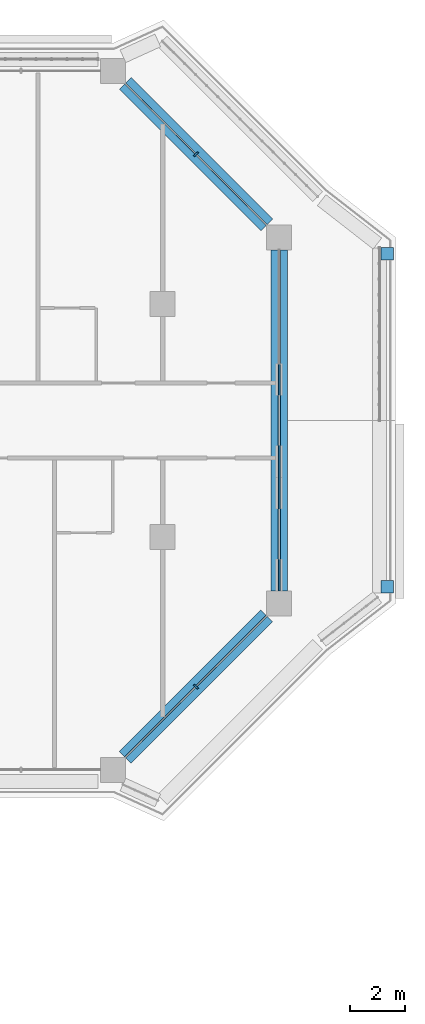
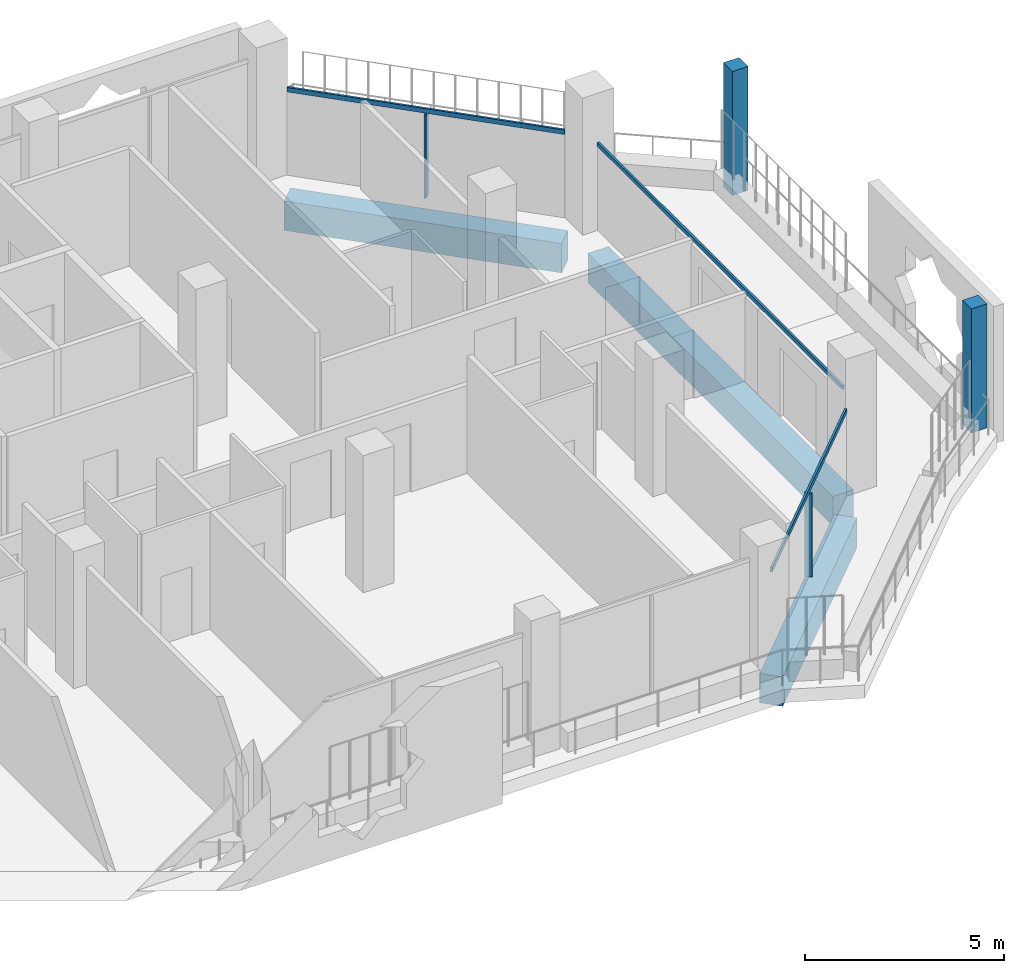
# One storey, part 7 of 22: 7 members, 3 beams, 4 elements without a shape of their own.
"""IFC4 building model written with IfcOpenShell, lengths in metres."""

import ifcopenshell
import ifcopenshell.guid

model = None  # the IFC model being written
_history = None  # IfcOwnerHistory: only IFC2X3 demands one
_inside = {}  # id of a spatial element -> (the spatial element, [elements in it])
_under = {}  # id of a project, library or spatial element -> (it, [spatial elements below it])
_declared = {}  # id of a project -> (the project, [libraries it declares])
_typed = {}  # id of a type object -> (the type object, [elements of that type])
_made_of = {}  # id of a material, layer set ... -> (it, [elements and type objects made of it])


def new_model(schema):
    """Start an empty IFC model of exactly this schema.

    Asked for "IFC4X3", IfcOpenShell would pick the latest addendum, in which some entities
    have other attributes; the version numbers below select the first issue.
    IFC2X3 requires an IfcOwnerHistory on every rooted entity: one is made here for all.
    """
    global model, _history
    if schema == "IFC4X3":
        model = ifcopenshell.file(schema_version=(4, 3, 0, 0))
    else:
        model = ifcopenshell.file(schema=schema)
    _inside.clear()
    _under.clear()
    _declared.clear()
    _typed.clear()
    _made_of.clear()
    _history = None
    if model.schema == "IFC2X3":
        org = make("IfcOrganization", Name="unknown")
        user = make(
            "IfcPersonAndOrganization",
            ThePerson=make("IfcPerson", FamilyName="unknown"),
            TheOrganization=org,
        )
        app = make(
            "IfcApplication",
            ApplicationDeveloper=org,
            Version="unknown",
            ApplicationFullName="unknown",
            ApplicationIdentifier="unknown",
        )
        _history = make(
            "IfcOwnerHistory",
            OwningUser=user,
            OwningApplication=app,
            ChangeAction="ADDED",
            CreationDate=0,
        )
    return model


def make(cls, **values):
    """One entity of the class cls with the attributes given. An attribute that is None is left unset."""
    return model.create_entity(
        cls, **{name: value for name, value in values.items() if value is not None}
    )


def rooted(cls, **values):
    """An entity with a GlobalId (a new one), such as an element, a storey or a relation."""
    return make(cls, GlobalId=ifcopenshell.guid.new(), OwnerHistory=_history, **values)


def si_unit(unit_type, name, prefix=None):
    """IfcSIUnit, for example si_unit("LENGTHUNIT", "METRE", prefix="MILLI")."""
    return make("IfcSIUnit", UnitType=unit_type, Prefix=prefix, Name=name)


def assignment(units):
    """IfcUnitAssignment: the units of a project."""
    return None if units is None else make("IfcUnitAssignment", Units=units)


def point(xyz):
    """IfcCartesianPoint."""
    return None if xyz is None else make("IfcCartesianPoint", Coordinates=xyz)


def direction(xyz):
    """IfcDirection."""
    return None if xyz is None else make("IfcDirection", DirectionRatios=xyz)


def frame(location, z_axis=None, x_axis=None):
    """IfcAxis2Placement3D, a coordinate frame: its origin and axes. An axis left out is left unset."""
    return make(
        "IfcAxis2Placement3D",
        Location=point(location),
        Axis=direction(z_axis),
        RefDirection=direction(x_axis),
    )


def frame_2d(location, x_axis=None):
    """IfcAxis2Placement2D, a coordinate frame in the plane: its origin and x axis."""
    return make(
        "IfcAxis2Placement2D", Location=point(location), RefDirection=direction(x_axis)
    )


def origin():
    """The frame at (0, 0, 0) with its axes left unset."""
    return frame((0.0, 0.0, 0.0))


def origin_2d():
    """The frame at (0, 0) in the plane with its x axis left unset."""
    return frame_2d((0.0, 0.0))


def place(relative_to, where):
    """IfcLocalPlacement: puts the frame where relative to a parent placement (None: the world)."""
    return make(
        "IfcLocalPlacement", PlacementRelTo=relative_to, RelativePlacement=where
    )


def context(
    kind, dimensions, precision=None, world=None, true_north=None, identifier=None
):
    """IfcGeometricRepresentationContext, for example the 3D "Model" context."""
    return make(
        "IfcGeometricRepresentationContext",
        ContextIdentifier=identifier,
        ContextType=kind,
        CoordinateSpaceDimension=dimensions,
        Precision=precision,
        WorldCoordinateSystem=world,
        TrueNorth=true_north,
    )


def subcontext(parent, identifier, kind, view, scale=None):
    """IfcGeometricRepresentationSubContext, for example "Body" below "Model"."""
    return make(
        "IfcGeometricRepresentationSubContext",
        ContextIdentifier=identifier,
        ContextType=kind,
        ParentContext=parent,
        TargetScale=scale,
        TargetView=view,
    )


def project(units=None, contexts=None):
    """IfcProject with its units and contexts."""
    return rooted(
        "IfcProject",
        Name="project",
        RepresentationContexts=contexts,
        UnitsInContext=assignment(units),
    )


def spatial(cls, under=None, at=None, **own):
    """A site, building, storey or space (cls), placed at a placement, below another one or the project."""
    s = rooted(cls, ObjectPlacement=at, **own)
    if under is not None:
        _under.setdefault(under.id(), (under, []))[1].append(s)
    return s


def profile(cls, at=None, kind="AREA", **sizes):
    """A parametric profile (cls). Its sizes go by their IFC names, for example OverallWidth=200.0."""
    return make(cls, ProfileType=kind, Position=at, **sizes)


def rectangle(**sizes):
    """IfcRectangleProfileDef."""
    return profile("IfcRectangleProfileDef", **sizes)


def extrude(swept, where, along, depth):
    """IfcExtrudedAreaSolid: the profile swept, set in the frame where, extruded along a direction by depth."""
    return make(
        "IfcExtrudedAreaSolid",
        SweptArea=swept,
        Position=where,
        ExtrudedDirection=direction(along),
        Depth=depth,
    )


def shape(context_of_items, identifier, shape_type, items):
    """IfcShapeRepresentation: the items that make up one representation, for example the "Body"."""
    return make(
        "IfcShapeRepresentation",
        ContextOfItems=context_of_items,
        RepresentationIdentifier=identifier,
        RepresentationType=shape_type,
        Items=items,
    )


def material(Name=None, Category=None):
    """IfcMaterial."""
    return make("IfcMaterial", Name=Name, Category=Category)


def layer(
    of_material, thickness, ventilated=None, Name=None, Category=None, Priority=None
):
    """IfcMaterialLayer: one layer of a wall or slab, of a material (None: an air gap)."""
    return make(
        "IfcMaterialLayer",
        Material=of_material,
        LayerThickness=thickness,
        IsVentilated=ventilated,
        Name=Name,
        Category=Category,
        Priority=Priority,
    )


def layer_set(layers, Name=None):
    """IfcMaterialLayerSet."""
    return make("IfcMaterialLayerSet", MaterialLayers=layers, LayerSetName=Name)


def material_profile(
    of_material, cross_section, Name=None, Category=None, Priority=None
):
    """IfcMaterialProfile: a cross section and its material."""
    return make(
        "IfcMaterialProfile",
        Name=Name,
        Material=of_material,
        Profile=cross_section,
        Priority=Priority,
        Category=Category,
    )


def profile_set(profiles, Name=None, composite=None):
    """IfcMaterialProfileSet."""
    return make(
        "IfcMaterialProfileSet",
        Name=Name,
        MaterialProfiles=profiles,
        CompositeProfile=composite,
    )


def made_of(thing, what):
    """Note that an element or type object is made of a material, layer set ...; save() writes the relation."""
    if what is not None:
        _made_of.setdefault(what.id(), (what, []))[1].append(thing)
    return thing


def type_object(cls, material=None, **own):
    """A type object (cls), such as IfcWallType, which elements share."""
    return made_of(rooted(cls, **own), material)


def element(
    cls,
    number,
    at=None,
    inside=None,
    cuts=None,
    type_object=None,
    material=None,
    context=None,
    identifier="Body",
    shape_type=None,
    held_by="IfcProductDefinitionShape",
    body=None,
    shapes=None,
    **own,
):
    """One element of the class cls, such as IfcWall. Its Tag is "e" and its number.

    at: its placement. inside: the storey or other place that contains it. cuts: it is an
    opening in that element (IfcRelVoidsElement). A single representation is given by context,
    identifier, shape_type and body (its items); several are given by shapes. held_by: the class
    of the entity that holds the representations. save() writes the other relations.
    """
    e = rooted(cls, Tag="e%d" % number, ObjectPlacement=at, **own)
    if body is not None:
        shapes = [shape(context, identifier, shape_type, body)]
    if shapes is not None:
        e.Representation = make(held_by, Representations=shapes)
    if inside is not None:
        _inside.setdefault(inside.id(), (inside, []))[1].append(e)
    if cuts is not None:
        rooted(
            "IfcRelVoidsElement", RelatingBuildingElement=cuts, RelatedOpeningElement=e
        )
    if type_object is not None:
        _typed.setdefault(type_object.id(), (type_object, []))[1].append(e)
    return made_of(e, material)


def aggregate(whole, parts):
    """IfcRelAggregates: a whole, such as a stair, and the parts it consists of."""
    return rooted("IfcRelAggregates", RelatingObject=whole, RelatedObjects=parts)


def save(model, path):
    """Write the relations noted so far, then the file.

    IfcRelAggregates (storeys below a building ...), IfcRelContainedInSpatialStructure (elements
    in a storey), IfcRelDefinesByType, IfcRelAssociatesMaterial and IfcRelDeclares: one each for
    every whole, place, type object, material and project.
    """
    for whole, parts in _under.values():
        aggregate(whole, parts)
    for where, things in _inside.values():
        rooted(
            "IfcRelContainedInSpatialStructure",
            RelatedElements=things,
            RelatingStructure=where,
        )
    for kind, things in _typed.values():
        rooted("IfcRelDefinesByType", RelatedObjects=things, RelatingType=kind)
    for what, things in _made_of.values():
        rooted("IfcRelAssociatesMaterial", RelatedObjects=things, RelatingMaterial=what)
    for by, libraries in _declared.values():
        rooted("IfcRelDeclares", RelatingContext=by, RelatedDefinitions=libraries)
    model.write(path)


model = new_model("IFC4")

# Units and contexts
model_context = context("Model", 3, precision=1e-05, world=origin(), true_north=direction((0.0, 1.0)))
body_context = subcontext(model_context, "Body", "Model", "MODEL_VIEW")
ifc_project = project(units=[si_unit("LENGTHUNIT", "METRE"), si_unit("AREAUNIT", "SQUARE_METRE"), si_unit("VOLUMEUNIT", "CUBIC_METRE"), si_unit("PLANEANGLEUNIT", "RADIAN"), si_unit("MASSUNIT", "GRAM", prefix="KILO")], contexts=[model_context])

# Site, building, storey
site_placement = place(None, origin())
site = spatial("IfcSite", under=ifc_project, at=site_placement, CompositionType="ELEMENT")
building_placement = place(site_placement, origin())
building = spatial("IfcBuilding", under=site, at=building_placement, Name="Kawkab Arch Medical Tower", CompositionType="ELEMENT")
storey_placement = place(building_placement, frame((0.0, 0.0, 251.60009765625)))
storey = spatial("IfcBuildingStorey", under=building, at=storey_placement, Name="L58", CompositionType="ELEMENT", Elevation=251.60009765625)

# Curtain wall, member
ifc_material_1 = material(Name="Bronze anodised aluminium curtain wall frame", Category="aluminium")
ifc_layer_1 = layer(ifc_material_1, 0.159912109375)
ifc_layer_set_1 = layer_set([ifc_layer_1], Name="Bronze anodised aluminium curtain wall frame")
curtain_wall_type_1 = type_object("IfcCurtainWallType", Name="CW1 ward curtain wall", PredefinedType="NOTDEFINED", material=ifc_layer_set_1)
placement = place(storey_placement, origin())
curtain_wall_1 = element("IfcCurtainWall", 1, at=placement, inside=storey, type_object=curtain_wall_type_1, Name="CW1 Ward curtain wall R09", PredefinedType="NOTDEFINED")
ifc_material_2 = material(Name="Bronze anodised aluminium curtain wall frame", Category="aluminium")
ifc_material_profile_1 = material_profile(ifc_material_2, rectangle(XDim=0.06005859375, YDim=0.1201171875, at=origin_2d()), Name="AL 60x120")
ifc_profile_set_1 = profile_set([ifc_material_profile_1], Name="Bronze anodised aluminium curtain wall frame")
member_type_1 = type_object("IfcMemberType", Name="CW1 transom 120 x 60", PredefinedType="USERDEFINED", material=ifc_profile_set_1)
member_1_placement = place(storey_placement, frame((63.0, -18.75, 2.639892578125), z_axis=(0.0, 1.0, 0.0), x_axis=(-1.0, 0.0, 0.0)))
member_1 = element("IfcMember", 2, at=member_1_placement, type_object=member_type_1, Name="CW1 transom 1", ObjectType="TRANSOM", PredefinedType="USERDEFINED", context=body_context, shape_type="SweptSolid", body=[
    extrude(rectangle(XDim=0.06005859375, YDim=0.1201171875, at=origin_2d()), origin(), (0.0, 0.0, 1.0), 12.300048828125),
])
aggregate(curtain_wall_1, [member_1])

ifc_material_3 = material(Name="Bronze anodised aluminium curtain wall frame", Category="aluminium")
ifc_layer_2 = layer(ifc_material_3, 0.159912109375)
ifc_layer_set_2 = layer_set([ifc_layer_2], Name="Bronze anodised aluminium curtain wall frame")
curtain_wall_type_2 = type_object("IfcCurtainWallType", Name="CW2 chamfer curtain wall", PredefinedType="NOTDEFINED", material=ifc_layer_set_2)
curtain_wall_2 = element("IfcCurtainWall", 3, at=placement, inside=storey, type_object=curtain_wall_type_2, Name="CW2 Chamfer curtain wall R08", PredefinedType="NOTDEFINED")
ifc_material_4 = material(Name="Bronze anodised aluminium curtain wall frame", Category="aluminium")
ifc_material_profile_2 = material_profile(ifc_material_4, rectangle(XDim=0.199951171875, YDim=0.06005859375, at=origin_2d()), Name="AL 60x200")
ifc_profile_set_2 = profile_set([ifc_material_profile_2], Name="Bronze anodised aluminium curtain wall frame")
member_type_2 = type_object("IfcMemberType", Name="CW2 mullion 60 x 200", PredefinedType="MULLION", material=ifc_profile_set_2)
member_2_placement = place(storey_placement, frame((60.0, -22.199951171875, 0.0), z_axis=(0.0, 0.0, 1.0), x_axis=(-0.707106781187, 0.707106781187, 0.0)))
member_2 = element("IfcMember", 4, at=member_2_placement, type_object=member_type_2, Name="CW2 mullion 1.1", PredefinedType="MULLION", context=body_context, shape_type="SweptSolid", body=[
    extrude(rectangle(XDim=0.199951171875, YDim=0.06005859375, at=origin_2d()), origin(), (0.0, 0.0, 1.0), 2.559814453125),
])

curtain_wall_3 = element("IfcCurtainWall", 5, at=placement, inside=storey, type_object=curtain_wall_type_2, Name="CW2 Chamfer curtain wall R10", PredefinedType="NOTDEFINED")
member_3_placement = place(storey_placement, frame((60.0, -3.0, 0.0), z_axis=(0.0, 0.0, 1.0), x_axis=(-0.707106781187, -0.707106781187, 0.0)))
member_3 = element("IfcMember", 6, at=member_3_placement, type_object=member_type_2, Name="CW2 mullion 1.1", PredefinedType="MULLION", context=body_context, shape_type="SweptSolid", body=[
    extrude(rectangle(XDim=0.199951171875, YDim=0.06005859375, at=origin_2d()), origin(), (0.0, 0.0, 1.0), 2.559814453125),
])

# Member
ifc_material_5 = material(Name="Bronze anodised aluminium curtain wall frame", Category="aluminium")
ifc_material_profile_3 = material_profile(ifc_material_5, rectangle(XDim=0.06005859375, YDim=0.139892578125, at=origin_2d()), Name="AL 60x140")
ifc_profile_set_3 = profile_set([ifc_material_profile_3], Name="Bronze anodised aluminium curtain wall frame")
member_type_3 = type_object("IfcMemberType", Name="CW2 transom 140 x 60", PredefinedType="USERDEFINED", material=ifc_profile_set_3)
member_4_placement = place(storey_placement, frame((57.449951171875, -24.75, 2.6298828125), z_axis=(0.707106781187, 0.707106781187, 0.0), x_axis=(-0.707106781187, 0.707106781187, 0.0)))
member_4 = element("IfcMember", 7, at=member_4_placement, type_object=member_type_3, Name="CW2 transom 1", ObjectType="TRANSOM", PredefinedType="USERDEFINED", context=body_context, shape_type="SweptSolid", body=[
    extrude(rectangle(XDim=0.06005859375, YDim=0.139892578125, at=origin_2d()), origin(), (0.0, 0.0, 1.0), 7.212646484375),
])

aggregate(curtain_wall_2, [member_4, member_2])

member_5_placement = place(storey_placement, frame((62.550048828125, -5.550048828125, 2.6298828125), z_axis=(-0.707106781187, 0.707106781187, 0.0), x_axis=(-0.707106781187, -0.707106781187, 0.0)))
member_5 = element("IfcMember", 8, at=member_5_placement, type_object=member_type_3, Name="CW2 transom 1", ObjectType="TRANSOM", PredefinedType="USERDEFINED", context=body_context, shape_type="SweptSolid", body=[
    extrude(rectangle(XDim=0.06005859375, YDim=0.139892578125, at=origin_2d()), origin(), (0.0, 0.0, 1.0), 7.212646484375),
])

aggregate(curtain_wall_3, [member_5, member_3])

# Curtain wall, members
ifc_material_6 = material(Name="Bronze anodised aluminium climber frame, planted", Category="aluminium")
ifc_layer_3 = layer(ifc_material_6, 0.449951171875)
ifc_layer_set_3 = layer_set([ifc_layer_3], Name="Bronze anodised aluminium climber frame, planted")
curtain_wall_type_3 = type_object("IfcCurtainWallType", Name="Planted climber frame", PredefinedType="NOTDEFINED", material=ifc_layer_set_3)
curtain_wall_4 = element("IfcCurtainWall", 9, at=placement, inside=storey, type_object=curtain_wall_type_3, Name="Planted climber frame L58", PredefinedType="NOTDEFINED")
ifc_material_7 = material(Name="Bronze anodised aluminium climber frame, planted", Category="aluminium")
ifc_material_profile_4 = material_profile(ifc_material_7, rectangle(XDim=0.449951171875, YDim=0.449951171875, at=origin_2d()), Name="Post 450x450")
ifc_profile_set_4 = profile_set([ifc_material_profile_4], Name="Bronze anodised aluminium climber frame, planted")
member_type_4 = type_object("IfcMemberType", Name="Planted climber post 450 x 450", PredefinedType="MULLION", material=ifc_profile_set_4)
member_6_placement = place(storey_placement, frame((66.89990234375, -6.596923828125, 0.0), z_axis=(0.0, 0.0, 1.0), x_axis=(1.0, 0.0, 0.0)))
member_6 = element("IfcMember", 10, at=member_6_placement, type_object=member_type_4, Name="Planted climber post L58.LOG-01-01.1", PredefinedType="MULLION", context=body_context, shape_type="SweptSolid", body=[
    extrude(rectangle(XDim=0.449951171875, YDim=0.449951171875, at=origin_2d()), origin(), (0.0, 0.0, 1.0), 3.7998046875),
])
member_7_placement = place(storey_placement, frame((66.89990234375, -18.60302734375, 0.0), z_axis=(0.0, 0.0, 1.0), x_axis=(1.0, 0.0, 0.0)))
member_7 = element("IfcMember", 11, at=member_7_placement, type_object=member_type_4, Name="Planted climber post L58.LOG-01-01.2", PredefinedType="MULLION", context=body_context, shape_type="SweptSolid", body=[
    extrude(rectangle(XDim=0.449951171875, YDim=0.449951171875, at=origin_2d()), origin(), (0.0, 0.0, 1.0), 3.7998046875),
])
aggregate(curtain_wall_4, [member_6, member_7])

# Beams
ifc_material_8 = material(Name="Concrete C45/55", Category="concrete")
ifc_material_profile_5 = material_profile(ifc_material_8, rectangle(XDim=0.60009765625, YDim=0.89990234375, at=origin_2d()), Name="RC 600x900")
ifc_profile_set_5 = profile_set([ifc_material_profile_5], Name="Concrete C45/55")
beam_type = type_object("IfcBeamType", Name="RC 600x900 beam C45/55", PredefinedType="BEAM", material=ifc_profile_set_5)
beam_1_placement = place(storey_placement, frame((57.449951171875, -0.449951171875, -1.050048828125), z_axis=(0.707106781187, -0.707106781187, 0.0), x_axis=(0.707106781187, 0.707106781187, 0.0)))
element("IfcBeam", 12, at=beam_1_placement, inside=storey, type_object=beam_type, Name="Overhang edge beam L58-01", PredefinedType="BEAM", context=body_context, shape_type="SweptSolid", body=[
    extrude(rectangle(XDim=0.60009765625, YDim=0.89990234375, at=origin_2d()), origin(), (0.0, 0.0, 1.0), 7.212646484375),
])
beam_2_placement = place(storey_placement, frame((63.0, -6.449951171875, -1.050048828125), z_axis=(0.0, -1.0, 0.0), x_axis=(1.0, 0.0, 0.0)))
element("IfcBeam", 13, at=beam_2_placement, inside=storey, type_object=beam_type, Name="Overhang edge beam L58-02", PredefinedType="BEAM", context=body_context, shape_type="SweptSolid", body=[
    extrude(rectangle(XDim=0.60009765625, YDim=0.89990234375, at=origin_2d()), origin(), (0.0, 0.0, 1.0), 12.300048828125),
])
beam_3_placement = place(storey_placement, frame((62.550048828125, -19.64990234375, -1.050048828125), z_axis=(-0.707106781187, -0.707106781187, 0.0), x_axis=(0.707106781187, -0.707106781187, 0.0)))
element("IfcBeam", 14, at=beam_3_placement, inside=storey, type_object=beam_type, Name="Overhang edge beam L58-03", PredefinedType="BEAM", context=body_context, shape_type="SweptSolid", body=[
    extrude(rectangle(XDim=0.60009765625, YDim=0.89990234375, at=origin_2d()), origin(), (0.0, 0.0, 1.0), 7.212646484375),
])

save(model, "model.ifc")
